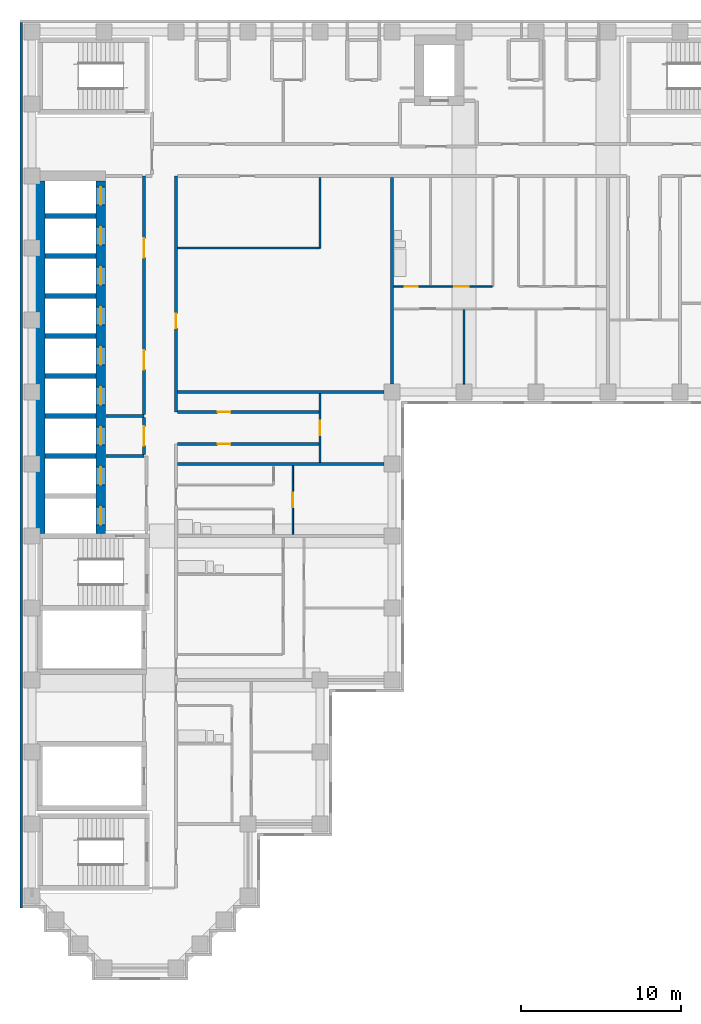
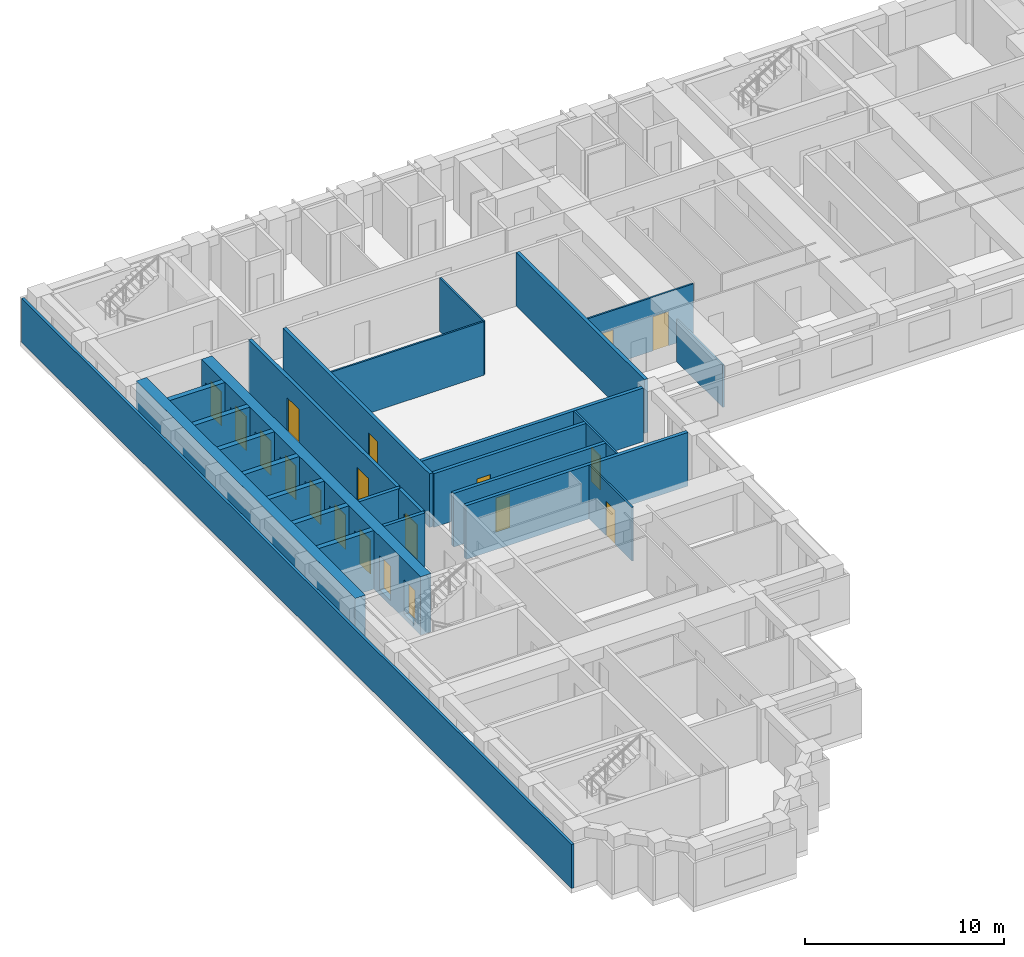
# One storey, part 4 of 11: 26 walls, 19 doors, 19 openings.
"""IFC4 building model written with IfcOpenShell, lengths in metres."""

from ifc_helpers import new_model, si_unit, direction, frame, frame_2d, origin, place, context, subcontext, project, spatial, rectangle, extrude, material, layer, layer_set, type_object, element, fill, save


model = new_model("IFC4")

# Units and contexts
model_context = context("Model", 3, precision=1e-05, world=origin(), true_north=direction((0.0, 1.0)))
body_context = subcontext(model_context, "Body", "Model", "MODEL_VIEW")
ifc_project = project(units=[si_unit("LENGTHUNIT", "METRE"), si_unit("AREAUNIT", "SQUARE_METRE"), si_unit("VOLUMEUNIT", "CUBIC_METRE"), si_unit("PLANEANGLEUNIT", "RADIAN"), si_unit("MASSUNIT", "GRAM", prefix="KILO")], contexts=[model_context])

# Site, building, storey
site_placement = place(None, origin())
site = spatial("IfcSite", under=ifc_project, at=site_placement, CompositionType="ELEMENT")
building_placement = place(site_placement, origin())
building = spatial("IfcBuilding", under=site, at=building_placement, Name="Firuza Court", CompositionType="ELEMENT")
storey_placement = place(building_placement, frame((0.0, 0.0, 130.39990234375)))
storey = spatial("IfcBuildingStorey", under=building, at=storey_placement, Name="L32", CompositionType="ELEMENT", Elevation=130.39990234375)

# Walls
ifc_material_1 = material(Name="Concrete C60/75", Category="concrete")
ifc_layer_1 = layer(ifc_material_1, 0.300048828125)
ifc_layer_set_1 = layer_set([ifc_layer_1], Name="Concrete C60/75")
wall_type_1 = type_object("IfcWallType", Name="Core wall 300 C60/75", PredefinedType="SHEAR", material=ifc_layer_set_1)
for number, where, z_axis, x_axis, name in (
    (1, (0.800048828125, 32.0, -0.2998046875), (0.0, 0.0, 1.0), (1.0, 0.0, 0.0), "Core wall lift shaft L32"),
    (2, (0.800048828125, 34.5, -0.2998046875), (0.0, 0.0, 1.0), (1.0, 0.0, 0.0), "Core wall lift shaft L32"),
    (3, (0.800048828125, 37.0, -0.2998046875), (0.0, 0.0, 1.0), (1.0, 0.0, 0.0), "Core wall lift shaft L32"),
    (4, (0.800048828125, 39.5, -0.2998046875), (0.0, 0.0, 1.0), (1.0, 0.0, 0.0), "Core wall lift shaft L32"),
    (5, (0.800048828125, 42.0, -0.2998046875), (0.0, 0.0, 1.0), (1.0, 0.0, 0.0), "Core wall lift shaft L32"),
    (6, (0.800048828125, 44.5, -0.2998046875), (0.0, 0.0, 1.0), (1.0, 0.0, 0.0), "Core wall lift shaft L32"),
    (7, (0.800048828125, 47.0, -0.2998046875), (0.0, 0.0, 1.0), (1.0, 0.0, 0.0), "Core wall lift shaft L32"),
):
    element("IfcWall", number, at=place(storey_placement, frame(where, z_axis=z_axis, x_axis=x_axis)), inside=storey, type_object=wall_type_1, Name=name, PredefinedType="SHEAR", context=body_context, shape_type="SweptSolid", body=[
        extrude(rectangle(XDim=3.199951171875, YDim=0.300048828125, at=frame_2d((1.60009765625, 0.0))), origin(), (0.0, 0.0, 1.0), 3.599853515625),
    ])
ifc_layer_2 = layer(ifc_material_1, 0.60009765625)
ifc_layer_set_2 = layer_set([ifc_layer_2], Name="Concrete C60/75")
wall_type_2 = type_object("IfcWallType", Name="Core wall 600 C60/75", PredefinedType="SHEAR", material=ifc_layer_set_2)
wall_1_placement = place(storey_placement, frame((0.5, 27.14990234375, -0.2998046875), z_axis=(0.0, 0.0, 1.0), x_axis=(0.0, 1.0, 0.0)))
element("IfcWall", 8, at=wall_1_placement, inside=storey, type_object=wall_type_2, Name="Core wall lift shaft L32", PredefinedType="SHEAR", context=body_context, shape_type="SweptSolid", body=[
    extrude(rectangle(XDim=22.050048828125, YDim=0.60009765625, at=frame_2d((11.02490234375, 0.0))), origin(), (0.0, 0.0, 1.0), 3.599853515625),
])

# Wall, openings, doors
wall_2_placement = place(storey_placement, frame((4.300048828125, 27.14990234375, -0.2998046875), z_axis=(0.0, 0.0, 1.0), x_axis=(0.0, 1.0, 0.0)))
wall_2 = element("IfcWall", 9, at=wall_2_placement, inside=storey, type_object=wall_type_2, Name="Core wall lift shaft L32", PredefinedType="SHEAR", context=body_context, shape_type="SweptSolid", body=[
    extrude(rectangle(XDim=22.050048828125, YDim=0.60009765625, at=frame_2d((11.02490234375, 0.0))), origin(), (0.0, 0.0, 1.0), 3.599853515625),
])
opening_1_placement = place(wall_2_placement, frame((3.050048828125, 0.0, 0.300048828125)))
opening_1 = element("IfcOpeningElement", 10, at=opening_1_placement, cuts=wall_2, Name="Opening LD-FL1-32", PredefinedType="OPENING", context=body_context, shape_type="SweptSolid", body=[
    extrude(rectangle(XDim=1.10009765625, YDim=2.10009765625, at=frame_2d((0.550048828125, 1.050048828125))), frame((0.0, 0.31201171875, 0.0), z_axis=(0.0, -1.0, 0.0), x_axis=(1.0, 0.0, 0.0)), (0.0, 0.0, 1.0), 0.6240234375),
])
opening_2_placement = place(wall_2_placement, frame((0.550048828125, 0.0, 0.300048828125)))
opening_2 = element("IfcOpeningElement", 11, at=opening_2_placement, cuts=wall_2, Name="Opening LD-FL2-32", PredefinedType="OPENING", context=body_context, shape_type="SweptSolid", body=[
    extrude(rectangle(XDim=1.10009765625, YDim=2.10009765625, at=frame_2d((0.550048828125, 1.050048828125))), frame((0.0, 0.31201171875, 0.0), z_axis=(0.0, -1.0, 0.0), x_axis=(1.0, 0.0, 0.0)), (0.0, 0.0, 1.0), 0.6240234375),
])
opening_3_placement = place(wall_2_placement, frame((20.550048828125, 0.0, 0.300048828125)))
opening_3 = element("IfcOpeningElement", 12, at=opening_3_placement, cuts=wall_2, Name="Opening LD-HB1-32", PredefinedType="OPENING", context=body_context, shape_type="SweptSolid", body=[
    extrude(rectangle(XDim=1.10009765625, YDim=2.10009765625, at=frame_2d((0.550048828125, 1.050048828125))), frame((0.0, 0.31201171875, 0.0), z_axis=(0.0, -1.0, 0.0), x_axis=(1.0, 0.0, 0.0)), (0.0, 0.0, 1.0), 0.6240234375),
])
opening_4_placement = place(wall_2_placement, frame((18.050048828125, 0.0, 0.300048828125)))
opening_4 = element("IfcOpeningElement", 13, at=opening_4_placement, cuts=wall_2, Name="Opening LD-HB2-32", PredefinedType="OPENING", context=body_context, shape_type="SweptSolid", body=[
    extrude(rectangle(XDim=1.10009765625, YDim=2.10009765625, at=frame_2d((0.550048828125, 1.050048828125))), frame((0.0, 0.31201171875, 0.0), z_axis=(0.0, -1.0, 0.0), x_axis=(1.0, 0.0, 0.0)), (0.0, 0.0, 1.0), 0.6240234375),
])
opening_5_placement = place(wall_2_placement, frame((15.550048828125, 0.0, 0.300048828125)))
opening_5 = element("IfcOpeningElement", 14, at=opening_5_placement, cuts=wall_2, Name="Opening LD-HB3-32", PredefinedType="OPENING", context=body_context, shape_type="SweptSolid", body=[
    extrude(rectangle(XDim=1.10009765625, YDim=2.10009765625, at=frame_2d((0.550048828125, 1.050048828125))), frame((0.0, 0.31201171875, 0.0), z_axis=(0.0, -1.0, 0.0), x_axis=(1.0, 0.0, 0.0)), (0.0, 0.0, 1.0), 0.6240234375),
])
opening_6_placement = place(wall_2_placement, frame((13.050048828125, 0.0, 0.300048828125)))
opening_6 = element("IfcOpeningElement", 15, at=opening_6_placement, cuts=wall_2, Name="Opening LD-HB4-32", PredefinedType="OPENING", context=body_context, shape_type="SweptSolid", body=[
    extrude(rectangle(XDim=1.10009765625, YDim=2.10009765625, at=frame_2d((0.550048828125, 1.050048828125))), frame((0.0, 0.31201171875, 0.0), z_axis=(0.0, -1.0, 0.0), x_axis=(1.0, 0.0, 0.0)), (0.0, 0.0, 1.0), 0.6240234375),
])
opening_7_placement = place(wall_2_placement, frame((10.550048828125, 0.0, 0.300048828125)))
opening_7 = element("IfcOpeningElement", 16, at=opening_7_placement, cuts=wall_2, Name="Opening LD-HB5-32", PredefinedType="OPENING", context=body_context, shape_type="SweptSolid", body=[
    extrude(rectangle(XDim=1.10009765625, YDim=2.10009765625, at=frame_2d((0.550048828125, 1.050048828125))), frame((0.0, 0.31201171875, 0.0), z_axis=(0.0, -1.0, 0.0), x_axis=(1.0, 0.0, 0.0)), (0.0, 0.0, 1.0), 0.6240234375),
])
opening_8_placement = place(wall_2_placement, frame((8.050048828125, 0.0, 0.300048828125)))
opening_8 = element("IfcOpeningElement", 17, at=opening_8_placement, cuts=wall_2, Name="Opening LD-HB6-32", PredefinedType="OPENING", context=body_context, shape_type="SweptSolid", body=[
    extrude(rectangle(XDim=1.10009765625, YDim=2.10009765625, at=frame_2d((0.550048828125, 1.050048828125))), frame((0.0, 0.31201171875, 0.0), z_axis=(0.0, -1.0, 0.0), x_axis=(1.0, 0.0, 0.0)), (0.0, 0.0, 1.0), 0.6240234375),
])
opening_9_placement = place(wall_2_placement, frame((5.550048828125, 0.0, 0.300048828125)))
opening_9 = element("IfcOpeningElement", 18, at=opening_9_placement, cuts=wall_2, Name="Opening LD-SL1-32", PredefinedType="OPENING", context=body_context, shape_type="SweptSolid", body=[
    extrude(rectangle(XDim=1.10009765625, YDim=2.10009765625, at=frame_2d((0.550048828125, 1.050048828125))), frame((0.0, 0.31201171875, 0.0), z_axis=(0.0, -1.0, 0.0), x_axis=(1.0, 0.0, 0.0)), (0.0, 0.0, 1.0), 0.6240234375),
])
ifc_material_2 = material(Name="Stainless steel 1.4301 door leaf", Category="steel")
door_type_1 = type_object("IfcDoorType", Name="Lift landing door 1100", OperationType="SLIDING_TO_LEFT", PredefinedType="DOOR", material=ifc_material_2)
door_1_placement = place(opening_1_placement, origin())
door_1 = element("IfcDoor", 19, at=door_1_placement, inside=storey, type_object=door_type_1, Name="Landing door FL1", OperationType="SLIDING_TO_LEFT", OverallHeight=2.10009765625, OverallWidth=1.10009765625, PredefinedType="DOOR", context=body_context, shape_type="SweptSolid", body=[
    extrude(rectangle(XDim=1.10009765625, YDim=2.10009765625, at=frame_2d((0.550048828125, 1.050048828125))), frame((0.0, 0.02490234375, 0.0), z_axis=(0.0, -1.0, 0.0), x_axis=(1.0, 0.0, 0.0)), (0.0, 0.0, 1.0), 0.050048828125),
])
fill(opening_1, door_1)
door_2_placement = place(opening_2_placement, origin())
door_2 = element("IfcDoor", 20, at=door_2_placement, inside=storey, type_object=door_type_1, Name="Landing door FL2", OperationType="SLIDING_TO_LEFT", OverallHeight=2.10009765625, OverallWidth=1.10009765625, PredefinedType="DOOR", context=body_context, shape_type="SweptSolid", body=[
    extrude(rectangle(XDim=1.10009765625, YDim=2.10009765625, at=frame_2d((0.550048828125, 1.050048828125))), frame((0.0, 0.02490234375, 0.0), z_axis=(0.0, -1.0, 0.0), x_axis=(1.0, 0.0, 0.0)), (0.0, 0.0, 1.0), 0.050048828125),
])
fill(opening_2, door_2)
door_3_placement = place(opening_3_placement, origin())
door_3 = element("IfcDoor", 21, at=door_3_placement, inside=storey, type_object=door_type_1, Name="Landing door HB1", OperationType="SLIDING_TO_LEFT", OverallHeight=2.10009765625, OverallWidth=1.10009765625, PredefinedType="DOOR", context=body_context, shape_type="SweptSolid", body=[
    extrude(rectangle(XDim=1.10009765625, YDim=2.10009765625, at=frame_2d((0.550048828125, 1.050048828125))), frame((0.0, 0.02490234375, 0.0), z_axis=(0.0, -1.0, 0.0), x_axis=(1.0, 0.0, 0.0)), (0.0, 0.0, 1.0), 0.050048828125),
])
fill(opening_3, door_3)
door_4_placement = place(opening_4_placement, origin())
door_4 = element("IfcDoor", 22, at=door_4_placement, inside=storey, type_object=door_type_1, Name="Landing door HB2", OperationType="SLIDING_TO_LEFT", OverallHeight=2.10009765625, OverallWidth=1.10009765625, PredefinedType="DOOR", context=body_context, shape_type="SweptSolid", body=[
    extrude(rectangle(XDim=1.10009765625, YDim=2.10009765625, at=frame_2d((0.550048828125, 1.050048828125))), frame((0.0, 0.02490234375, 0.0), z_axis=(0.0, -1.0, 0.0), x_axis=(1.0, 0.0, 0.0)), (0.0, 0.0, 1.0), 0.050048828125),
])
fill(opening_4, door_4)
door_5_placement = place(opening_5_placement, origin())
door_5 = element("IfcDoor", 23, at=door_5_placement, inside=storey, type_object=door_type_1, Name="Landing door HB3", OperationType="SLIDING_TO_LEFT", OverallHeight=2.10009765625, OverallWidth=1.10009765625, PredefinedType="DOOR", context=body_context, shape_type="SweptSolid", body=[
    extrude(rectangle(XDim=1.10009765625, YDim=2.10009765625, at=frame_2d((0.550048828125, 1.050048828125))), frame((0.0, 0.02490234375, 0.0), z_axis=(0.0, -1.0, 0.0), x_axis=(1.0, 0.0, 0.0)), (0.0, 0.0, 1.0), 0.050048828125),
])
fill(opening_5, door_5)
door_6_placement = place(opening_6_placement, origin())
door_6 = element("IfcDoor", 24, at=door_6_placement, inside=storey, type_object=door_type_1, Name="Landing door HB4", OperationType="SLIDING_TO_LEFT", OverallHeight=2.10009765625, OverallWidth=1.10009765625, PredefinedType="DOOR", context=body_context, shape_type="SweptSolid", body=[
    extrude(rectangle(XDim=1.10009765625, YDim=2.10009765625, at=frame_2d((0.550048828125, 1.050048828125))), frame((0.0, 0.02490234375, 0.0), z_axis=(0.0, -1.0, 0.0), x_axis=(1.0, 0.0, 0.0)), (0.0, 0.0, 1.0), 0.050048828125),
])
fill(opening_6, door_6)
door_7_placement = place(opening_7_placement, origin())
door_7 = element("IfcDoor", 25, at=door_7_placement, inside=storey, type_object=door_type_1, Name="Landing door HB5", OperationType="SLIDING_TO_LEFT", OverallHeight=2.10009765625, OverallWidth=1.10009765625, PredefinedType="DOOR", context=body_context, shape_type="SweptSolid", body=[
    extrude(rectangle(XDim=1.10009765625, YDim=2.10009765625, at=frame_2d((0.550048828125, 1.050048828125))), frame((0.0, 0.02490234375, 0.0), z_axis=(0.0, -1.0, 0.0), x_axis=(1.0, 0.0, 0.0)), (0.0, 0.0, 1.0), 0.050048828125),
])
fill(opening_7, door_7)
door_8_placement = place(opening_8_placement, origin())
door_8 = element("IfcDoor", 26, at=door_8_placement, inside=storey, type_object=door_type_1, Name="Landing door HB6", OperationType="SLIDING_TO_LEFT", OverallHeight=2.10009765625, OverallWidth=1.10009765625, PredefinedType="DOOR", context=body_context, shape_type="SweptSolid", body=[
    extrude(rectangle(XDim=1.10009765625, YDim=2.10009765625, at=frame_2d((0.550048828125, 1.050048828125))), frame((0.0, 0.02490234375, 0.0), z_axis=(0.0, -1.0, 0.0), x_axis=(1.0, 0.0, 0.0)), (0.0, 0.0, 1.0), 0.050048828125),
])
fill(opening_8, door_8)
door_9_placement = place(opening_9_placement, origin())
door_9 = element("IfcDoor", 27, at=door_9_placement, inside=storey, type_object=door_type_1, Name="Landing door SL1", OperationType="SLIDING_TO_LEFT", OverallHeight=2.10009765625, OverallWidth=1.10009765625, PredefinedType="DOOR", context=body_context, shape_type="SweptSolid", body=[
    extrude(rectangle(XDim=1.10009765625, YDim=2.10009765625, at=frame_2d((0.550048828125, 1.050048828125))), frame((0.0, 0.02490234375, 0.0), z_axis=(0.0, -1.0, 0.0), x_axis=(1.0, 0.0, 0.0)), (0.0, 0.0, 1.0), 0.050048828125),
])
fill(opening_9, door_9)

# Wall, opening, door
ifc_material_3 = material(Name="Blockwork, plastered both sides", Category="masonry")
ifc_layer_3 = layer(ifc_material_3, 0.199951171875)
ifc_layer_set_3 = layer_set([ifc_layer_3], Name="Blockwork, plastered both sides")
wall_type_3 = type_object("IfcWallType", Name="Corridor wall 200", PredefinedType="PARTITIONING", material=ifc_layer_set_3)
wall_3_placement = place(storey_placement, frame((9.10009765625, 32.75, 0.0), z_axis=(0.0, 0.0, 1.0), x_axis=(1.0, 0.0, 0.0)))
wall_3 = element("IfcWall", 28, at=wall_3_placement, inside=storey, type_object=wall_type_3, Name="Corridor wall 200 L32", PredefinedType="PARTITIONING", context=body_context, shape_type="SweptSolid", body=[
    extrude(rectangle(XDim=8.849853515625, YDim=0.199951171875, at=frame_2d((4.4248046875, 0.0))), origin(), (0.0, 0.0, 1.0), 3.300048828125),
])
opening_10_placement = place(wall_3_placement, frame((2.5, 0.0, 0.0)))
opening_10 = element("IfcOpeningElement", 29, at=opening_10_placement, cuts=wall_3, Name="Opening D32035", PredefinedType="OPENING", context=body_context, shape_type="SweptSolid", body=[
    extrude(rectangle(XDim=0.800048828125, YDim=2.10009765625, at=frame_2d((0.39990234375, 1.050048828125))), frame((0.0, 0.11181640625, 0.0), z_axis=(0.0, -1.0, 0.0), x_axis=(1.0, 0.0, 0.0)), (0.0, 0.0, 1.0), 0.223876953125),
])
ifc_material_4 = material(Name="Timber door leaf in hardwood frame", Category="wood")
door_type_2 = type_object("IfcDoorType", Name="Room door 800 EI 30", OperationType="SINGLE_SWING_LEFT", PredefinedType="DOOR", material=ifc_material_4)
door_10_placement = place(opening_10_placement, frame((0.800048828125, 0.0, 0.0), z_axis=(0.0, 0.0, 1.0), x_axis=(-1.0, 0.0, 0.0)))
door_10 = element("IfcDoor", 30, at=door_10_placement, inside=storey, type_object=door_type_2, Name="Store door", OperationType="SINGLE_SWING_RIGHT", OverallHeight=2.10009765625, OverallWidth=0.800048828125, PredefinedType="DOOR", context=body_context, shape_type="SweptSolid", body=[
    extrude(rectangle(XDim=0.800048828125, YDim=2.10009765625, at=frame_2d((0.39990234375, 1.050048828125))), frame((0.0, 0.02490234375, 0.0), z_axis=(0.0, -1.0, 0.0), x_axis=(1.0, 0.0, 0.0)), (0.0, 0.0, 1.0), 0.050048828125),
])
fill(opening_10, door_10)

wall_4_placement = place(storey_placement, frame((9.0, 34.75, 0.0), z_axis=(0.0, 0.0, 1.0), x_axis=(0.0, 1.0, 0.0)))
wall_4 = element("IfcWall", 31, at=wall_4_placement, inside=storey, type_object=wall_type_3, Name="Corridor wall 200 L32", PredefinedType="PARTITIONING", context=body_context, shape_type="SweptSolid", body=[
    extrude(rectangle(XDim=14.75, YDim=0.199951171875, at=frame_2d((7.375, 0.0))), origin(), (0.0, 0.0, 1.0), 3.300048828125),
])
opening_11_placement = place(wall_4_placement, frame((5.25, 0.0, 0.0)))
opening_11 = element("IfcOpeningElement", 32, at=opening_11_placement, cuts=wall_4, Name="Opening D32036", PredefinedType="OPENING", context=body_context, shape_type="SweptSolid", body=[
    extrude(rectangle(XDim=0.89990234375, YDim=2.10009765625, at=frame_2d((0.449951171875, 1.050048828125))), frame((0.0, 0.11181640625, 0.0), z_axis=(0.0, -1.0, 0.0), x_axis=(1.0, 0.0, 0.0)), (0.0, 0.0, 1.0), 0.223876953125),
])
ifc_material_5 = material(Name="Timber door leaf in hardwood frame", Category="wood")
door_type_3 = type_object("IfcDoorType", Name="Room door 900 EI 30", OperationType="SINGLE_SWING_LEFT", PredefinedType="DOOR", material=ifc_material_5)
door_11_placement = place(opening_11_placement, frame((0.89990234375, 0.0, 0.0), z_axis=(0.0, 0.0, 1.0), x_axis=(-1.0, 0.0, 0.0)))
door_11 = element("IfcDoor", 33, at=door_11_placement, inside=storey, type_object=door_type_3, Name="Music room door", OperationType="SINGLE_SWING_RIGHT", OverallHeight=2.10009765625, OverallWidth=0.89990234375, PredefinedType="DOOR", context=body_context, shape_type="SweptSolid", body=[
    extrude(rectangle(XDim=0.89990234375, YDim=2.10009765625, at=frame_2d((0.449951171875, 1.050048828125))), frame((0.0, 0.02490234375, 0.0), z_axis=(0.0, -1.0, 0.0), x_axis=(1.0, 0.0, 0.0)), (0.0, 0.0, 1.0), 0.050048828125),
])
fill(opening_11, door_11)

wall_5_placement = place(storey_placement, frame((9.10009765625, 34.75, 0.0), z_axis=(0.0, 0.0, 1.0), x_axis=(1.0, 0.0, 0.0)))
wall_5 = element("IfcWall", 34, at=wall_5_placement, inside=storey, type_object=wall_type_3, Name="Corridor wall 200 L32", PredefinedType="PARTITIONING", context=body_context, shape_type="SweptSolid", body=[
    extrude(rectangle(XDim=8.849853515625, YDim=0.199951171875, at=frame_2d((4.4248046875, 0.0))), origin(), (0.0, 0.0, 1.0), 3.300048828125),
])
opening_12_placement = place(wall_5_placement, frame((2.5, 0.0, 0.0)))
opening_12 = element("IfcOpeningElement", 35, at=opening_12_placement, cuts=wall_5, Name="Opening D32037", PredefinedType="OPENING", context=body_context, shape_type="SweptSolid", body=[
    extrude(rectangle(XDim=0.800048828125, YDim=2.10009765625, at=frame_2d((0.39990234375, 1.050048828125))), frame((0.0, 0.11181640625, 0.0), z_axis=(0.0, -1.0, 0.0), x_axis=(1.0, 0.0, 0.0)), (0.0, 0.0, 1.0), 0.223876953125),
])
door_12_placement = place(opening_12_placement, origin())
door_12 = element("IfcDoor", 36, at=door_12_placement, inside=storey, type_object=door_type_2, Name="Store door", OperationType="SINGLE_SWING_LEFT", OverallHeight=2.10009765625, OverallWidth=0.800048828125, PredefinedType="DOOR", context=body_context, shape_type="SweptSolid", body=[
    extrude(rectangle(XDim=0.800048828125, YDim=2.10009765625, at=frame_2d((0.39990234375, 1.050048828125))), frame((0.0, 0.02490234375, 0.0), z_axis=(0.0, -1.0, 0.0), x_axis=(1.0, 0.0, 0.0)), (0.0, 0.0, 1.0), 0.050048828125),
])
fill(opening_12, door_12)

ifc_material_6 = material(Name="Timber stud partition, plasterboard both sides", Category="wood")
ifc_layer_4 = layer(ifc_material_6, 0.10009765625)
ifc_layer_set_4 = layer_set([ifc_layer_4], Name="Timber stud partition, plasterboard both sides")
wall_type_4 = type_object("IfcWallType", Name="Partition wall 100", PredefinedType="PARTITIONING", material=ifc_layer_set_4)
wall_6_placement = place(storey_placement, frame((16.300048828125, 27.10009765625, 0.0), z_axis=(0.0, 0.0, 1.0), x_axis=(0.0, 1.0, 0.0)))
wall_6 = element("IfcWall", 37, at=wall_6_placement, inside=storey, type_object=wall_type_4, Name="Partition wall 100 L32", PredefinedType="PARTITIONING", context=body_context, shape_type="SweptSolid", body=[
    extrude(rectangle(XDim=4.2998046875, YDim=0.10009765625, at=frame_2d((2.14990234375, 0.0))), origin(), (0.0, 0.0, 1.0), 3.300048828125),
])
opening_13_placement = place(wall_6_placement, frame((1.699951171875, 0.0, 0.0)))
opening_13 = element("IfcOpeningElement", 38, at=opening_13_placement, cuts=wall_6, Name="Opening D32032", PredefinedType="OPENING", context=body_context, shape_type="SweptSolid", body=[
    extrude(rectangle(XDim=0.89990234375, YDim=2.10009765625, at=frame_2d((0.449951171875, 1.050048828125))), frame((0.0, 0.06201171875, 0.0), z_axis=(0.0, -1.0, 0.0), x_axis=(1.0, 0.0, 0.0)), (0.0, 0.0, 1.0), 0.1240234375),
])
ifc_material_7 = material(Name="Timber door leaf in hardwood frame", Category="wood")
door_type_4 = type_object("IfcDoorType", Name="Room door 900", OperationType="SINGLE_SWING_LEFT", PredefinedType="DOOR", material=ifc_material_7)
door_13_placement = place(opening_13_placement, frame((0.89990234375, 0.0, 0.0), z_axis=(0.0, 0.0, 1.0), x_axis=(-1.0, 0.0, 0.0)))
door_13 = element("IfcDoor", 39, at=door_13_placement, inside=storey, type_object=door_type_4, Name="Studio room door", OperationType="SINGLE_SWING_RIGHT", OverallHeight=2.10009765625, OverallWidth=0.89990234375, PredefinedType="DOOR", context=body_context, shape_type="SweptSolid", body=[
    extrude(rectangle(XDim=0.89990234375, YDim=2.10009765625, at=frame_2d((0.449951171875, 1.050048828125))), frame((0.0, 0.02490234375, 0.0), z_axis=(0.0, -1.0, 0.0), x_axis=(1.0, 0.0, 0.0)), (0.0, 0.0, 1.0), 0.050048828125),
])
fill(opening_13, door_13)

wall_7_placement = place(storey_placement, frame((18.0, 31.60009765625, 0.0), z_axis=(0.0, 0.0, 1.0), x_axis=(0.0, 1.0, 0.0)))
wall_7 = element("IfcWall", 40, at=wall_7_placement, inside=storey, type_object=wall_type_4, Name="Partition wall 100 L32", PredefinedType="PARTITIONING", context=body_context, shape_type="SweptSolid", body=[
    extrude(rectangle(XDim=4.2998046875, YDim=0.10009765625, at=frame_2d((2.14990234375, 0.0))), origin(), (0.0, 0.0, 1.0), 3.300048828125),
])
opening_14_placement = place(wall_7_placement, frame((1.699951171875, 0.0, 0.0)))
opening_14 = element("IfcOpeningElement", 41, at=opening_14_placement, cuts=wall_7, Name="Opening D32034", PredefinedType="OPENING", context=body_context, shape_type="SweptSolid", body=[
    extrude(rectangle(XDim=0.89990234375, YDim=2.10009765625, at=frame_2d((0.449951171875, 1.050048828125))), frame((0.0, 0.06201171875, 0.0), z_axis=(0.0, -1.0, 0.0), x_axis=(1.0, 0.0, 0.0)), (0.0, 0.0, 1.0), 0.1240234375),
])
door_14_placement = place(opening_14_placement, origin())
door_14 = element("IfcDoor", 42, at=door_14_placement, inside=storey, type_object=door_type_4, Name="Residents' lounge door", OperationType="SINGLE_SWING_LEFT", OverallHeight=2.10009765625, OverallWidth=0.89990234375, PredefinedType="DOOR", context=body_context, shape_type="SweptSolid", body=[
    extrude(rectangle(XDim=0.89990234375, YDim=2.10009765625, at=frame_2d((0.449951171875, 1.050048828125))), frame((0.0, 0.02490234375, 0.0), z_axis=(0.0, -1.0, 0.0), x_axis=(1.0, 0.0, 0.0)), (0.0, 0.0, 1.0), 0.050048828125),
])
fill(opening_14, door_14)

# Wall
wall_8_placement = place(storey_placement, frame((27.0, 36.5, 0.0), z_axis=(0.0, 0.0, 1.0), x_axis=(0.0, 1.0, 0.0)))
element("IfcWall", 43, at=wall_8_placement, inside=storey, type_object=wall_type_4, Name="Partition wall 100 L32", PredefinedType="PARTITIONING", context=body_context, shape_type="SweptSolid", body=[
    extrude(rectangle(XDim=4.64990234375, YDim=0.10009765625, at=frame_2d((2.324951171875, 0.0))), origin(), (0.0, 0.0, 1.0), 2.60009765625),
])

# Wall, openings, doors
wall_9_placement = place(storey_placement, frame((22.60009765625, 42.60009765625, 0.0), z_axis=(0.0, 0.0, 1.0), x_axis=(1.0, 0.0, 0.0)))
wall_9 = element("IfcWall", 44, at=wall_9_placement, inside=storey, type_object=wall_type_4, Name="Partition wall 100 L32", PredefinedType="PARTITIONING", context=body_context, shape_type="SweptSolid", body=[
    extrude(rectangle(XDim=6.14990234375, YDim=0.10009765625, at=frame_2d((3.074951171875, 0.0))), origin(), (0.0, 0.0, 1.0), 3.300048828125),
])
opening_15_placement = place(wall_9_placement, frame((0.699951171875, 0.0, 0.0)))
opening_15 = element("IfcOpeningElement", 45, at=opening_15_placement, cuts=wall_9, Name="Opening D32052", PredefinedType="OPENING", context=body_context, shape_type="SweptSolid", body=[
    extrude(rectangle(XDim=0.800048828125, YDim=2.10009765625, at=frame_2d((0.39990234375, 1.050048828125))), frame((0.0, 0.06201171875, 0.0), z_axis=(0.0, -1.0, 0.0), x_axis=(1.0, 0.0, 0.0)), (0.0, 0.0, 1.0), 0.1240234375),
])
opening_16_placement = place(wall_9_placement, frame((3.800048828125, 0.0, 0.0)))
opening_16 = element("IfcOpeningElement", 46, at=opening_16_placement, cuts=wall_9, Name="Opening D32053", PredefinedType="OPENING", context=body_context, shape_type="SweptSolid", body=[
    extrude(rectangle(XDim=0.89990234375, YDim=2.10009765625, at=frame_2d((0.449951171875, 1.050048828125))), frame((0.0, 0.06201171875, 0.0), z_axis=(0.0, -1.0, 0.0), x_axis=(1.0, 0.0, 0.0)), (0.0, 0.0, 1.0), 0.1240234375),
])
ifc_material_8 = material(Name="Timber door leaf in hardwood frame", Category="wood")
door_type_5 = type_object("IfcDoorType", Name="Bathroom door 800", OperationType="SINGLE_SWING_LEFT", PredefinedType="DOOR", material=ifc_material_8)
door_15_placement = place(opening_15_placement, origin())
door_15 = element("IfcDoor", 47, at=door_15_placement, inside=storey, type_object=door_type_5, Name="Bathroom door", OperationType="SINGLE_SWING_LEFT", OverallHeight=2.10009765625, OverallWidth=0.800048828125, PredefinedType="DOOR", context=body_context, shape_type="SweptSolid", body=[
    extrude(rectangle(XDim=0.800048828125, YDim=2.10009765625, at=frame_2d((0.39990234375, 1.050048828125))), frame((0.0, 0.02490234375, 0.0), z_axis=(0.0, -1.0, 0.0), x_axis=(1.0, 0.0, 0.0)), (0.0, 0.0, 1.0), 0.050048828125),
])
fill(opening_15, door_15)
door_16_placement = place(opening_16_placement, origin())
door_16 = element("IfcDoor", 48, at=door_16_placement, inside=storey, type_object=door_type_4, Name="Kitchen door", OperationType="SINGLE_SWING_LEFT", OverallHeight=2.10009765625, OverallWidth=0.89990234375, PredefinedType="DOOR", context=body_context, shape_type="SweptSolid", body=[
    extrude(rectangle(XDim=0.89990234375, YDim=2.10009765625, at=frame_2d((0.449951171875, 1.050048828125))), frame((0.0, 0.02490234375, 0.0), z_axis=(0.0, -1.0, 0.0), x_axis=(1.0, 0.0, 0.0)), (0.0, 0.0, 1.0), 0.050048828125),
])
fill(opening_16, door_16)

# Walls
wall_10_placement = place(storey_placement, frame((9.10009765625, 45.0, 0.0), z_axis=(0.0, 0.0, 1.0), x_axis=(1.0, 0.0, 0.0)))
element("IfcWall", 49, at=wall_10_placement, inside=storey, type_object=wall_type_4, Name="Partition wall 100 L32", PredefinedType="PARTITIONING", context=body_context, shape_type="SweptSolid", body=[
    extrude(rectangle(XDim=8.849853515625, YDim=0.10009765625, at=frame_2d((4.4248046875, 0.0))), origin(), (0.0, 0.0, 1.0), 3.300048828125),
])
wall_11_placement = place(storey_placement, frame((18.0, 45.0, 0.0), z_axis=(0.0, 0.0, 1.0), x_axis=(0.0, 1.0, 0.0)))
element("IfcWall", 50, at=wall_11_placement, inside=storey, type_object=wall_type_4, Name="Partition wall 100 L32", PredefinedType="PARTITIONING", context=body_context, shape_type="SweptSolid", body=[
    extrude(rectangle(XDim=4.39990234375, YDim=0.10009765625, at=frame_2d((2.199951171875, 0.0))), origin(), (0.0, 0.0, 1.0), 3.300048828125),
])
ifc_layer_5 = layer(ifc_material_3, 0.199951171875)
ifc_layer_set_5 = layer_set([ifc_layer_5], Name="Blockwork, plastered both sides")
wall_type_5 = type_object("IfcWallType", Name="Party wall 200", PredefinedType="PARTITIONING", material=ifc_layer_set_5)
for number, where, z_axis, x_axis, name in (
    (51, (9.10009765625, 31.5, 0.0), (0.0, 0.0, 1.0), (1.0, 0.0, 0.0), "Party wall 200 L32"),
    (52, (9.10009765625, 36.0, 0.0), (0.0, 0.0, 1.0), (1.0, 0.0, 0.0), "Party wall 200 L32"),
    (53, (22.5, 36.5, 0.0), (0.0, 0.0, 1.0), (0.0, 1.0, 0.0), "Party wall 200 L32"),
):
    element("IfcWall", number, at=place(storey_placement, frame(where, z_axis=z_axis, x_axis=x_axis)), inside=storey, type_object=wall_type_5, Name=name, PredefinedType="PARTITIONING", context=body_context, shape_type="SweptSolid", body=[
        extrude(rectangle(XDim=12.89990234375, YDim=0.199951171875, at=frame_2d((6.449951171875, 0.0))), origin(), (0.0, 0.0, 1.0), 3.300048828125),
    ])
ifc_material_9 = material(Name="Ceramic tile", Category="ceramic")
ifc_layer_6 = layer(ifc_material_9, 0.02001953125)
ifc_material_10 = material(Name="Mineral wool insulation", Category="insulation")
ifc_layer_7 = layer(ifc_material_10, 0.050048828125)
ifc_material_11 = material(Name="Concrete C40/50 precast", Category="concrete")
ifc_layer_8 = layer(ifc_material_11, 0.080078125)
ifc_layer_set_6 = layer_set([ifc_layer_6, ifc_layer_7, ifc_layer_8], Name="Concrete C40/50 precast")
wall_type_6 = type_object("IfcWallType", Name="Precast cladding wall with turquoise TILE PANEL face 150", PredefinedType="STANDARD", material=ifc_layer_set_6)
wall_12_placement = place(storey_placement, frame((-0.675048828125, 59.10009765625, 0.0), z_axis=(0.0, 0.0, 1.0), x_axis=(0.0, -1.0, 0.0)))
element("IfcWall", 54, at=wall_12_placement, inside=storey, type_object=wall_type_6, Name="Facade wall L32 W", PredefinedType="STANDARD", context=body_context, shape_type="SweptSolid", body=[
    extrude(rectangle(XDim=55.35009765625, YDim=0.14990234375, at=frame_2d((27.675048828125, 0.0))), origin(), (0.0, 0.0, 1.0), 2.7001953125),
])
ifc_material_12 = material(Name="Blockwork, fire-rated", Category="masonry")
ifc_layer_9 = layer(ifc_material_12, 0.199951171875)
ifc_layer_set_7 = layer_set([ifc_layer_9], Name="Blockwork, fire-rated")
wall_type_7 = type_object("IfcWallType", Name="Shaft wall 200", PredefinedType="PARTITIONING", material=ifc_layer_set_7)
wall_13_placement = place(storey_placement, frame((4.6201171875, 34.5, 0.0), z_axis=(0.0, 0.0, 1.0), x_axis=(1.0, 0.0, 0.0)))
element("IfcWall", 55, at=wall_13_placement, inside=storey, type_object=wall_type_7, Name="Shaft wall 200 L32", PredefinedType="PARTITIONING", context=body_context, shape_type="SweptSolid", body=[
    extrude(rectangle(XDim=2.3798828125, YDim=0.199951171875, at=frame_2d((1.18994140625, 0.0))), origin(), (0.0, 0.0, 1.0), 3.300048828125),
])

# Wall, openings, doors
wall_14_placement = place(storey_placement, frame((7.0, 34.60009765625, 0.0), z_axis=(0.0, 0.0, 1.0), x_axis=(0.0, 1.0, 0.0)))
wall_14 = element("IfcWall", 56, at=wall_14_placement, inside=storey, type_object=wall_type_7, Name="Shaft wall 200 L32", PredefinedType="PARTITIONING", context=body_context, shape_type="SweptSolid", body=[
    extrude(rectangle(XDim=14.89990234375, YDim=0.199951171875, at=frame_2d((7.449951171875, 0.0))), origin(), (0.0, 0.0, 1.0), 3.300048828125),
])
opening_17_placement = place(wall_14_placement, frame((2.800048828125, 0.0, 0.0)))
opening_17 = element("IfcOpeningElement", 57, at=opening_17_placement, cuts=wall_14, Name="Opening D32004", PredefinedType="OPENING", context=body_context, shape_type="SweptSolid", body=[
    extrude(rectangle(XDim=1.199951171875, YDim=2.10009765625, at=frame_2d((0.60009765625, 1.050048828125))), frame((0.0, 0.11181640625, 0.0), z_axis=(0.0, -1.0, 0.0), x_axis=(1.0, 0.0, 0.0)), (0.0, 0.0, 1.0), 0.223876953125),
])
opening_18_placement = place(wall_14_placement, frame((9.800048828125, 0.0, 0.0)))
opening_18 = element("IfcOpeningElement", 58, at=opening_18_placement, cuts=wall_14, Name="Opening D32005", PredefinedType="OPENING", context=body_context, shape_type="SweptSolid", body=[
    extrude(rectangle(XDim=1.199951171875, YDim=2.10009765625, at=frame_2d((0.60009765625, 1.050048828125))), frame((0.0, 0.11181640625, 0.0), z_axis=(0.0, -1.0, 0.0), x_axis=(1.0, 0.0, 0.0)), (0.0, 0.0, 1.0), 0.223876953125),
])
ifc_material_13 = material(Name="Timber door leaf in hardwood frame", Category="wood")
door_type_6 = type_object("IfcDoorType", Name="Lobby door 1200", OperationType="SINGLE_SWING_LEFT", PredefinedType="DOOR", material=ifc_material_13)
door_17_placement = place(opening_17_placement, origin())
door_17 = element("IfcDoor", 59, at=door_17_placement, inside=storey, type_object=door_type_6, Name="Lobby door", OperationType="SINGLE_SWING_LEFT", OverallHeight=2.10009765625, OverallWidth=1.199951171875, PredefinedType="DOOR", context=body_context, shape_type="SweptSolid", body=[
    extrude(rectangle(XDim=1.199951171875, YDim=2.10009765625, at=frame_2d((0.60009765625, 1.050048828125))), frame((0.0, 0.02490234375, 0.0), z_axis=(0.0, -1.0, 0.0), x_axis=(1.0, 0.0, 0.0)), (0.0, 0.0, 1.0), 0.050048828125),
])
fill(opening_17, door_17)
door_18_placement = place(opening_18_placement, origin())
door_18 = element("IfcDoor", 60, at=door_18_placement, inside=storey, type_object=door_type_6, Name="Lobby door", OperationType="SINGLE_SWING_RIGHT", OverallHeight=2.10009765625, OverallWidth=1.199951171875, PredefinedType="DOOR", context=body_context, shape_type="SweptSolid", body=[
    extrude(rectangle(XDim=1.199951171875, YDim=2.10009765625, at=frame_2d((0.60009765625, 1.050048828125))), frame((0.0, 0.02490234375, 0.0), z_axis=(0.0, -1.0, 0.0), x_axis=(1.0, 0.0, 0.0)), (0.0, 0.0, 1.0), 0.050048828125),
])
fill(opening_18, door_18)

# Wall
wall_15_placement = place(storey_placement, frame((4.6201171875, 32.0, 0.0), z_axis=(0.0, 0.0, 1.0), x_axis=(1.0, 0.0, 0.0)))
element("IfcWall", 61, at=wall_15_placement, inside=storey, type_object=wall_type_7, Name="Shaft wall 200 L32", PredefinedType="PARTITIONING", context=body_context, shape_type="SweptSolid", body=[
    extrude(rectangle(XDim=2.3798828125, YDim=0.199951171875, at=frame_2d((1.18994140625, 0.0))), origin(), (0.0, 0.0, 1.0), 3.300048828125),
])

# Wall, opening, door
wall_16_placement = place(storey_placement, frame((7.0, 32.10009765625, 0.0), z_axis=(0.0, 0.0, 1.0), x_axis=(0.0, 1.0, 0.0)))
wall_16 = element("IfcWall", 62, at=wall_16_placement, inside=storey, type_object=wall_type_7, Name="Shaft wall 200 L32", PredefinedType="PARTITIONING", context=body_context, shape_type="SweptSolid", body=[
    extrude(rectangle(XDim=2.2998046875, YDim=0.199951171875, at=frame_2d((1.14990234375, 0.0))), origin(), (0.0, 0.0, 1.0), 3.300048828125),
])
opening_19_placement = place(wall_16_placement, frame((0.550048828125, 0.0, 0.0)))
opening_19 = element("IfcOpeningElement", 63, at=opening_19_placement, cuts=wall_16, Name="Opening D32008", PredefinedType="OPENING", context=body_context, shape_type="SweptSolid", body=[
    extrude(rectangle(XDim=1.199951171875, YDim=2.10009765625, at=frame_2d((0.60009765625, 1.050048828125))), frame((0.0, 0.11181640625, 0.0), z_axis=(0.0, -1.0, 0.0), x_axis=(1.0, 0.0, 0.0)), (0.0, 0.0, 1.0), 0.223876953125),
])
door_19_placement = place(opening_19_placement, origin())
door_19 = element("IfcDoor", 64, at=door_19_placement, inside=storey, type_object=door_type_6, Name="Lobby door", OperationType="SINGLE_SWING_LEFT", OverallHeight=2.10009765625, OverallWidth=1.199951171875, PredefinedType="DOOR", context=body_context, shape_type="SweptSolid", body=[
    extrude(rectangle(XDim=1.199951171875, YDim=2.10009765625, at=frame_2d((0.60009765625, 1.050048828125))), frame((0.0, 0.02490234375, 0.0), z_axis=(0.0, -1.0, 0.0), x_axis=(1.0, 0.0, 0.0)), (0.0, 0.0, 1.0), 0.050048828125),
])
fill(opening_19, door_19)

save(model, "model.ifc")
